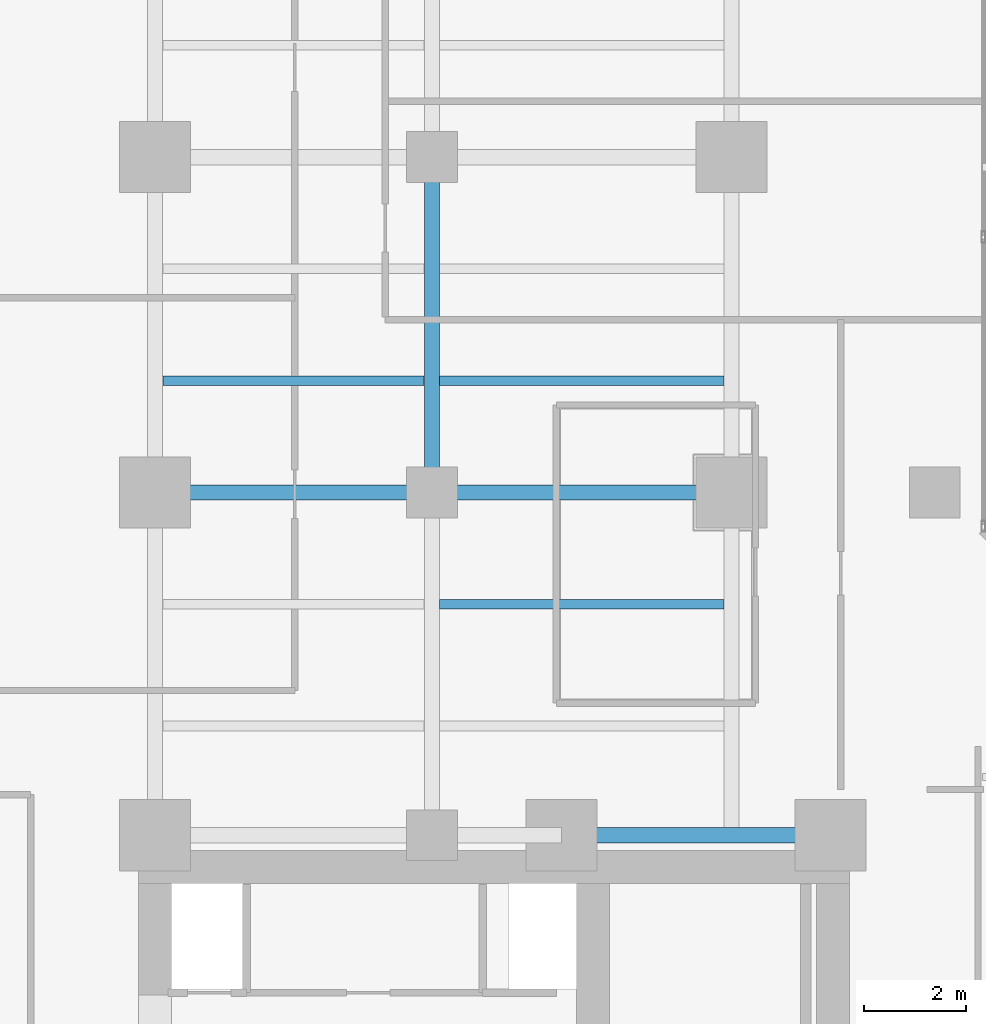
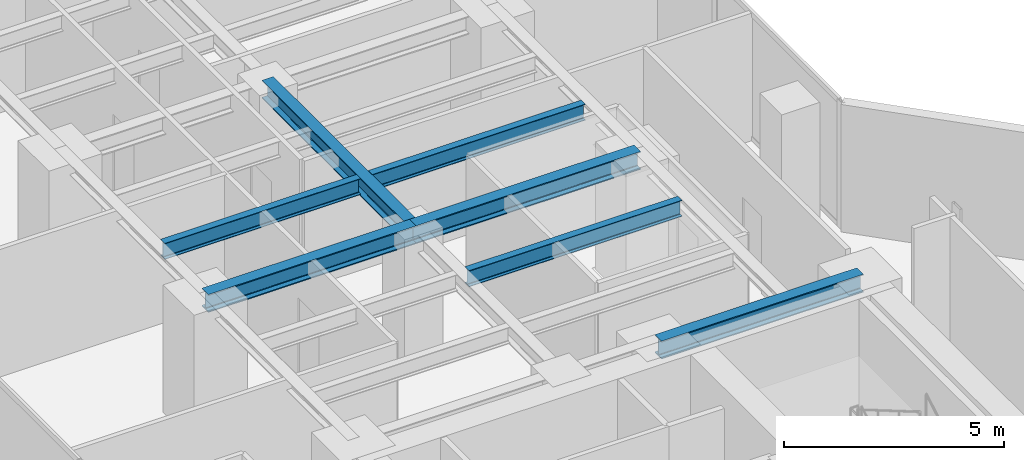
# One storey, part 8 of 26: 7 beams.
"""IFC4 building model written with IfcOpenShell, lengths in metres."""

from ifc_helpers import new_model, si_unit, direction, frame, origin, origin_2d, place, context, subcontext, project, spatial, i_section, extrude, material, material_profile, profile_set, type_object, element, save


model = new_model("IFC4")

# Units and contexts
model_context = context("Model", 3, precision=1e-05, world=origin(), true_north=direction((0.0, 1.0)))
body_context = subcontext(model_context, "Body", "Model", "MODEL_VIEW")
ifc_project = project(units=[si_unit("LENGTHUNIT", "METRE"), si_unit("AREAUNIT", "SQUARE_METRE"), si_unit("VOLUMEUNIT", "CUBIC_METRE"), si_unit("PLANEANGLEUNIT", "RADIAN"), si_unit("MASSUNIT", "GRAM", prefix="KILO")], contexts=[model_context])

# Site, building, storey
site_placement = place(None, origin())
site = spatial("IfcSite", under=ifc_project, at=site_placement, CompositionType="ELEMENT")
building_placement = place(site_placement, origin())
building = spatial("IfcBuilding", under=site, at=building_placement, Name="Kolvaren Waterfront Exchange", CompositionType="ELEMENT")
storey_placement = place(building_placement, frame((0.0, 0.0, 110.699951171875)))
storey = spatial("IfcBuildingStorey", under=building, at=storey_placement, Name="L28", CompositionType="ELEMENT", Elevation=110.699951171875)

# Beams
ifc_material = material(Name="Steel S355", Category="steel")
ifc_material_profile_1 = material_profile(ifc_material, i_section(OverallWidth=0.300048828125, OverallDepth=0.5, WebThickness=0.014404296875, FlangeThickness=0.028076171875, FilletRadius=0.027099609375, at=origin_2d()), Name="HEB500")
ifc_profile_set_1 = profile_set([ifc_material_profile_1], Name="Steel S355")
beam_type_1 = type_object("IfcBeamType", Name="STR-BM-HEB500", PredefinedType="BEAM", material=ifc_profile_set_1)
beam_1_placement = place(storey_placement, frame((15.449951171875, 24.449951171875, 3.2900390625), z_axis=(1.0, 0.0, 0.0), x_axis=(0.0, 1.0, 0.0)))
element("IfcBeam", 1, at=beam_1_placement, inside=storey, type_object=beam_type_1, Name="L28 north-arm girder 1C", PredefinedType="BEAM", context=body_context, shape_type="SweptSolid", body=[
    extrude(i_section(OverallWidth=0.300048828125, OverallDepth=0.5, WebThickness=0.014404296875, FlangeThickness=0.028076171875, FilletRadius=0.027099609375, at=origin_2d()), origin(), (0.0, 0.0, 1.0), 5.300048828125),
])
beam_2_placement = place(storey_placement, frame((7.449951171875, 31.199951171875, 3.2900390625), z_axis=(1.0, 0.0, 0.0), x_axis=(0.0, 1.0, 0.0)))
element("IfcBeam", 2, at=beam_2_placement, inside=storey, type_object=beam_type_1, Name="L28 north-arm girder 2A", PredefinedType="BEAM", context=body_context, shape_type="SweptSolid", body=[
    extrude(i_section(OverallWidth=0.300048828125, OverallDepth=0.5, WebThickness=0.014404296875, FlangeThickness=0.028076171875, FilletRadius=0.027099609375, at=origin_2d()), origin(), (0.0, 0.0, 1.0), 5.449951171875),
])
beam_3_placement = place(storey_placement, frame((12.89990234375, 31.199951171875, 3.2900390625), z_axis=(1.0, 0.0, 0.0), x_axis=(0.0, 1.0, 0.0)))
element("IfcBeam", 3, at=beam_3_placement, inside=storey, type_object=beam_type_1, Name="L28 north-arm girder 2B", PredefinedType="BEAM", context=body_context, shape_type="SweptSolid", body=[
    extrude(i_section(OverallWidth=0.300048828125, OverallDepth=0.5, WebThickness=0.014404296875, FlangeThickness=0.028076171875, FilletRadius=0.027099609375, at=origin_2d()), origin(), (0.0, 0.0, 1.0), 5.900146484375),
])
beam_4_placement = place(storey_placement, frame((12.89990234375, 31.199951171875, 3.2900390625), z_axis=(0.0, 1.0, 0.0), x_axis=(-1.0, 0.0, 0.0)))
element("IfcBeam", 4, at=beam_4_placement, inside=storey, type_object=beam_type_1, Name="L28 north-arm edge beam 2", PredefinedType="BEAM", context=body_context, shape_type="SweptSolid", body=[
    extrude(i_section(OverallWidth=0.300048828125, OverallDepth=0.5, WebThickness=0.014404296875, FlangeThickness=0.028076171875, FilletRadius=0.027099609375, at=origin_2d()), origin(), (0.0, 0.0, 1.0), 6.60009765625),
])
ifc_material_profile_2 = material_profile(ifc_material, i_section(OverallWidth=0.18994140625, OverallDepth=0.449951171875, WebThickness=0.009521484375, FlangeThickness=0.0146484375, FilletRadius=0.02099609375, at=origin_2d()), Name="IPE450")
ifc_profile_set_2 = profile_set([ifc_material_profile_2], Name="Steel S355")
beam_type_2 = type_object("IfcBeamType", Name="STR-BM-IPE450", PredefinedType="JOIST", material=ifc_profile_set_2)
beam_5_placement = place(storey_placement, frame((13.052001953125, 29.0, 3.31494140625), z_axis=(1.0, 0.0, 0.0), x_axis=(0.0, 1.0, 0.0)))
element("IfcBeam", 5, at=beam_5_placement, inside=storey, type_object=beam_type_2, Name="L28 north-arm composite joist 2B", PredefinedType="JOIST", context=body_context, shape_type="SweptSolid", body=[
    extrude(i_section(OverallWidth=0.18994140625, OverallDepth=0.449951171875, WebThickness=0.009521484375, FlangeThickness=0.0146484375, FilletRadius=0.02099609375, at=origin_2d()), origin(), (0.0, 0.0, 1.0), 5.595947265625),
])
beam_6_placement = place(storey_placement, frame((7.60205078125, 33.39990234375, 3.31494140625), z_axis=(1.0, 0.0, 0.0), x_axis=(0.0, 1.0, 0.0)))
element("IfcBeam", 6, at=beam_6_placement, inside=storey, type_object=beam_type_2, Name="L28 north-arm composite joist 3A", PredefinedType="JOIST", context=body_context, shape_type="SweptSolid", body=[
    extrude(i_section(OverallWidth=0.18994140625, OverallDepth=0.449951171875, WebThickness=0.009521484375, FlangeThickness=0.0146484375, FilletRadius=0.02099609375, at=origin_2d()), origin(), (0.0, 0.0, 1.0), 5.14599609375),
])
beam_7_placement = place(storey_placement, frame((13.052001953125, 33.39990234375, 3.31494140625), z_axis=(1.0, 0.0, 0.0), x_axis=(0.0, 1.0, 0.0)))
element("IfcBeam", 7, at=beam_7_placement, inside=storey, type_object=beam_type_2, Name="L28 north-arm composite joist 3B", PredefinedType="JOIST", context=body_context, shape_type="SweptSolid", body=[
    extrude(i_section(OverallWidth=0.18994140625, OverallDepth=0.449951171875, WebThickness=0.009521484375, FlangeThickness=0.0146484375, FilletRadius=0.02099609375, at=origin_2d()), origin(), (0.0, 0.0, 1.0), 5.595947265625),
])

save(model, "model.ifc")
